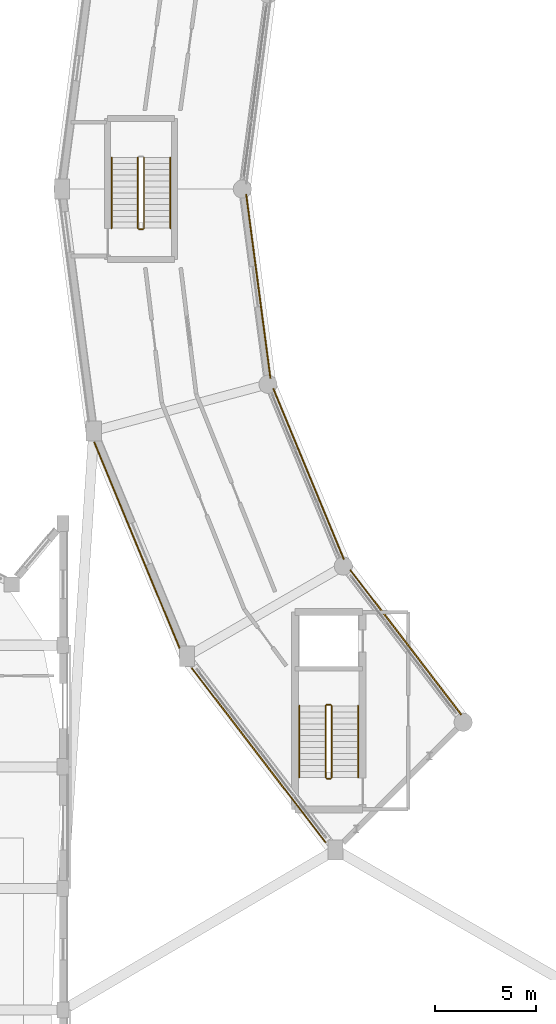
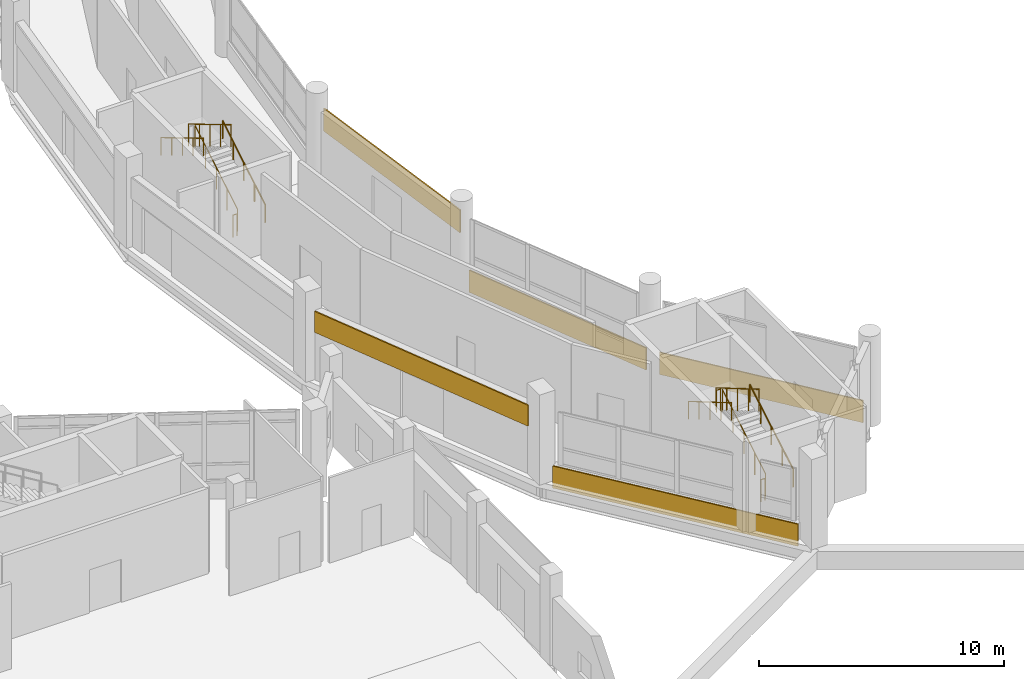
# One storey, part 118 of 129: 11 railings, 5 coverings.
"""IFC4 building model written with IfcOpenShell, lengths in metres."""

import ifcopenshell
import ifcopenshell.guid

model = None  # the IFC model being written
_history = None  # IfcOwnerHistory: only IFC2X3 demands one
_inside = {}  # id of a spatial element -> (the spatial element, [elements in it])
_under = {}  # id of a project, library or spatial element -> (it, [spatial elements below it])
_declared = {}  # id of a project -> (the project, [libraries it declares])
_typed = {}  # id of a type object -> (the type object, [elements of that type])
_made_of = {}  # id of a material, layer set ... -> (it, [elements and type objects made of it])


def new_model(schema):
    """Start an empty IFC model of exactly this schema.

    Asked for "IFC4X3", IfcOpenShell would pick the latest addendum, in which some entities
    have other attributes; the version numbers below select the first issue.
    IFC2X3 requires an IfcOwnerHistory on every rooted entity: one is made here for all.
    """
    global model, _history
    if schema == "IFC4X3":
        model = ifcopenshell.file(schema_version=(4, 3, 0, 0))
    else:
        model = ifcopenshell.file(schema=schema)
    _inside.clear()
    _under.clear()
    _declared.clear()
    _typed.clear()
    _made_of.clear()
    _history = None
    if model.schema == "IFC2X3":
        org = make("IfcOrganization", Name="unknown")
        user = make(
            "IfcPersonAndOrganization",
            ThePerson=make("IfcPerson", FamilyName="unknown"),
            TheOrganization=org,
        )
        app = make(
            "IfcApplication",
            ApplicationDeveloper=org,
            Version="unknown",
            ApplicationFullName="unknown",
            ApplicationIdentifier="unknown",
        )
        _history = make(
            "IfcOwnerHistory",
            OwningUser=user,
            OwningApplication=app,
            ChangeAction="ADDED",
            CreationDate=0,
        )
    return model


def make(cls, **values):
    """One entity of the class cls with the attributes given. An attribute that is None is left unset."""
    return model.create_entity(
        cls, **{name: value for name, value in values.items() if value is not None}
    )


def rooted(cls, **values):
    """An entity with a GlobalId (a new one), such as an element, a storey or a relation."""
    return make(cls, GlobalId=ifcopenshell.guid.new(), OwnerHistory=_history, **values)


def si_unit(unit_type, name, prefix=None):
    """IfcSIUnit, for example si_unit("LENGTHUNIT", "METRE", prefix="MILLI")."""
    return make("IfcSIUnit", UnitType=unit_type, Prefix=prefix, Name=name)


def assignment(units):
    """IfcUnitAssignment: the units of a project."""
    return None if units is None else make("IfcUnitAssignment", Units=units)


def point(xyz):
    """IfcCartesianPoint."""
    return None if xyz is None else make("IfcCartesianPoint", Coordinates=xyz)


def direction(xyz):
    """IfcDirection."""
    return None if xyz is None else make("IfcDirection", DirectionRatios=xyz)


def frame(location, z_axis=None, x_axis=None):
    """IfcAxis2Placement3D, a coordinate frame: its origin and axes. An axis left out is left unset."""
    return make(
        "IfcAxis2Placement3D",
        Location=point(location),
        Axis=direction(z_axis),
        RefDirection=direction(x_axis),
    )


def frame_2d(location, x_axis=None):
    """IfcAxis2Placement2D, a coordinate frame in the plane: its origin and x axis."""
    return make(
        "IfcAxis2Placement2D", Location=point(location), RefDirection=direction(x_axis)
    )


def origin():
    """The frame at (0, 0, 0) with its axes left unset."""
    return frame((0.0, 0.0, 0.0))


def origin_2d():
    """The frame at (0, 0) in the plane with its x axis left unset."""
    return frame_2d((0.0, 0.0))


def place(relative_to, where):
    """IfcLocalPlacement: puts the frame where relative to a parent placement (None: the world)."""
    return make(
        "IfcLocalPlacement", PlacementRelTo=relative_to, RelativePlacement=where
    )


def context(
    kind, dimensions, precision=None, world=None, true_north=None, identifier=None
):
    """IfcGeometricRepresentationContext, for example the 3D "Model" context."""
    return make(
        "IfcGeometricRepresentationContext",
        ContextIdentifier=identifier,
        ContextType=kind,
        CoordinateSpaceDimension=dimensions,
        Precision=precision,
        WorldCoordinateSystem=world,
        TrueNorth=true_north,
    )


def subcontext(parent, identifier, kind, view, scale=None):
    """IfcGeometricRepresentationSubContext, for example "Body" below "Model"."""
    return make(
        "IfcGeometricRepresentationSubContext",
        ContextIdentifier=identifier,
        ContextType=kind,
        ParentContext=parent,
        TargetScale=scale,
        TargetView=view,
    )


def project(units=None, contexts=None):
    """IfcProject with its units and contexts."""
    return rooted(
        "IfcProject",
        Name="project",
        RepresentationContexts=contexts,
        UnitsInContext=assignment(units),
    )


def spatial(cls, under=None, at=None, **own):
    """A site, building, storey or space (cls), placed at a placement, below another one or the project."""
    s = rooted(cls, ObjectPlacement=at, **own)
    if under is not None:
        _under.setdefault(under.id(), (under, []))[1].append(s)
    return s


def profile(cls, at=None, kind="AREA", **sizes):
    """A parametric profile (cls). Its sizes go by their IFC names, for example OverallWidth=200.0."""
    return make(cls, ProfileType=kind, Position=at, **sizes)


def rectangle(**sizes):
    """IfcRectangleProfileDef."""
    return profile("IfcRectangleProfileDef", **sizes)


def circle(**sizes):
    """IfcCircleProfileDef."""
    return profile("IfcCircleProfileDef", **sizes)


def extrude(swept, where, along, depth):
    """IfcExtrudedAreaSolid: the profile swept, set in the frame where, extruded along a direction by depth."""
    return make(
        "IfcExtrudedAreaSolid",
        SweptArea=swept,
        Position=where,
        ExtrudedDirection=direction(along),
        Depth=depth,
    )


def shape(context_of_items, identifier, shape_type, items):
    """IfcShapeRepresentation: the items that make up one representation, for example the "Body"."""
    return make(
        "IfcShapeRepresentation",
        ContextOfItems=context_of_items,
        RepresentationIdentifier=identifier,
        RepresentationType=shape_type,
        Items=items,
    )


def material(Name=None, Category=None):
    """IfcMaterial."""
    return make("IfcMaterial", Name=Name, Category=Category)


def layer(
    of_material, thickness, ventilated=None, Name=None, Category=None, Priority=None
):
    """IfcMaterialLayer: one layer of a wall or slab, of a material (None: an air gap)."""
    return make(
        "IfcMaterialLayer",
        Material=of_material,
        LayerThickness=thickness,
        IsVentilated=ventilated,
        Name=Name,
        Category=Category,
        Priority=Priority,
    )


def layer_set(layers, Name=None):
    """IfcMaterialLayerSet."""
    return make("IfcMaterialLayerSet", MaterialLayers=layers, LayerSetName=Name)


def made_of(thing, what):
    """Note that an element or type object is made of a material, layer set ...; save() writes the relation."""
    if what is not None:
        _made_of.setdefault(what.id(), (what, []))[1].append(thing)
    return thing


def type_object(cls, material=None, **own):
    """A type object (cls), such as IfcWallType, which elements share."""
    return made_of(rooted(cls, **own), material)


def element(
    cls,
    number,
    at=None,
    inside=None,
    cuts=None,
    type_object=None,
    material=None,
    context=None,
    identifier="Body",
    shape_type=None,
    held_by="IfcProductDefinitionShape",
    body=None,
    shapes=None,
    **own,
):
    """One element of the class cls, such as IfcWall. Its Tag is "e" and its number.

    at: its placement. inside: the storey or other place that contains it. cuts: it is an
    opening in that element (IfcRelVoidsElement). A single representation is given by context,
    identifier, shape_type and body (its items); several are given by shapes. held_by: the class
    of the entity that holds the representations. save() writes the other relations.
    """
    e = rooted(cls, Tag="e%d" % number, ObjectPlacement=at, **own)
    if body is not None:
        shapes = [shape(context, identifier, shape_type, body)]
    if shapes is not None:
        e.Representation = make(held_by, Representations=shapes)
    if inside is not None:
        _inside.setdefault(inside.id(), (inside, []))[1].append(e)
    if cuts is not None:
        rooted(
            "IfcRelVoidsElement", RelatingBuildingElement=cuts, RelatedOpeningElement=e
        )
    if type_object is not None:
        _typed.setdefault(type_object.id(), (type_object, []))[1].append(e)
    return made_of(e, material)


def aggregate(whole, parts):
    """IfcRelAggregates: a whole, such as a stair, and the parts it consists of."""
    return rooted("IfcRelAggregates", RelatingObject=whole, RelatedObjects=parts)


def save(model, path):
    """Write the relations noted so far, then the file.

    IfcRelAggregates (storeys below a building ...), IfcRelContainedInSpatialStructure (elements
    in a storey), IfcRelDefinesByType, IfcRelAssociatesMaterial and IfcRelDeclares: one each for
    every whole, place, type object, material and project.
    """
    for whole, parts in _under.values():
        aggregate(whole, parts)
    for where, things in _inside.values():
        rooted(
            "IfcRelContainedInSpatialStructure",
            RelatedElements=things,
            RelatingStructure=where,
        )
    for kind, things in _typed.values():
        rooted("IfcRelDefinesByType", RelatedObjects=things, RelatingType=kind)
    for what, things in _made_of.values():
        rooted("IfcRelAssociatesMaterial", RelatedObjects=things, RelatingMaterial=what)
    for by, libraries in _declared.values():
        rooted("IfcRelDeclares", RelatingContext=by, RelatedDefinitions=libraries)
    model.write(path)


model = new_model("IFC4")

# Units and contexts
model_context = context("Model", 3, precision=1e-05, world=origin(), true_north=direction((0.0, 1.0)))
body_context = subcontext(model_context, "Body", "Model", "MODEL_VIEW")
ifc_project = project(units=[si_unit("LENGTHUNIT", "METRE"), si_unit("AREAUNIT", "SQUARE_METRE"), si_unit("VOLUMEUNIT", "CUBIC_METRE"), si_unit("PLANEANGLEUNIT", "RADIAN"), si_unit("MASSUNIT", "GRAM", prefix="KILO")], contexts=[model_context])

# Site, building, storey
site_placement = place(None, origin())
site = spatial("IfcSite", under=ifc_project, at=site_placement, CompositionType="ELEMENT")
building_placement = place(site_placement, origin())
building = spatial("IfcBuilding", under=site, at=building_placement, Name="Vespera Passage Community Centre", CompositionType="ELEMENT")
storey_placement = place(building_placement, origin())
storey = spatial("IfcBuildingStorey", under=building, at=storey_placement, Name="L00", CompositionType="ELEMENT", Elevation=0.0)

# Coverings
ifc_material_1 = material(Name="Precast concrete f'c 40 MPa", Category="concrete")
ifc_layer = layer(ifc_material_1, 0.06005859375)
ifc_layer_set = layer_set([ifc_layer], Name="Precast concrete f'c 40 MPa")
covering_type = type_object("IfcCoveringType", Name="COV-CLAD-60E", PredefinedType="CLADDING", material=ifc_layer_set)
covering_1_placement = place(storey_placement, frame((40.989990234375, 65.2451171875, 2.419921875), z_axis=(0.0, 0.0, 1.0), x_axis=(0.13052003772, -0.99144567161, 0.0)))
element("IfcCovering", 1, at=covering_1_placement, inside=storey, type_object=covering_type, Name="V4 L00 Court Portal White Band I12", PredefinedType="CLADDING", context=body_context, shape_type="SweptSolid", body=[
    extrude(rectangle(XDim=9.15625, YDim=0.06005859375, at=frame_2d((4.578125, 0.0))), origin(), (0.0, 0.0, 1.0), 1.12939453125),
])
covering_2_placement = place(storey_placement, frame((37.703125, 42.854248046875, 2.419921875), z_axis=(0.0, 0.0, 1.0), x_axis=(-0.382676472432, 0.923882415379, 0.0)))
element("IfcCovering", 2, at=covering_2_placement, inside=storey, type_object=covering_type, Name="V4 L00 Portal White Fascia O13", PredefinedType="CLADDING", context=body_context, shape_type="SweptSolid", body=[
    extrude(rectangle(XDim=11.001953125, YDim=0.06005859375, at=frame_2d((5.5009765625, 0.0))), origin(), (0.0, 0.0, 1.0), 1.045654296875),
])
covering_3_placement = place(storey_placement, frame((42.325439453125, 55.654296875, -0.280029296875), z_axis=(0.0, 0.0, 1.0), x_axis=(0.38269491658, -0.92387477551, 0.0)))
element("IfcCovering", 3, at=covering_3_placement, inside=storey, type_object=covering_type, Name="V4 L00 Inner Court White Spandrel Band I13", PredefinedType="CLADDING", context=body_context, shape_type="SweptSolid", body=[
    extrude(rectangle(XDim=9.11181640625, YDim=0.06005859375, at=frame_2d((4.555908203125, 0.0))), origin(), (0.0, 0.0, 1.0), 1.10009765625),
])
covering_4_placement = place(storey_placement, frame((44.90771484375, 33.267822265625, -0.280029296875), z_axis=(0.0, 0.0, 1.0), x_axis=(-0.608767750285, 0.793348489765, 0.0)))
element("IfcCovering", 4, at=covering_4_placement, inside=storey, type_object=covering_type, Name="V4 L00 Outer White Spandrel Band O14", PredefinedType="CLADDING", context=body_context, shape_type="SweptSolid", body=[
    extrude(rectangle(XDim=10.8525390625, YDim=0.06005859375, at=frame_2d((5.42626953125, 0.0))), origin(), (0.0, 0.0, 1.0), 1.10009765625),
])
covering_5_placement = place(storey_placement, frame((46.121826171875, 46.714111328125, -0.280029296875), z_axis=(0.0, 0.0, 1.0), x_axis=(0.608765610033, -0.793350132061, 0.0)))
element("IfcCovering", 5, at=covering_5_placement, inside=storey, type_object=covering_type, Name="V4 L00 Inner Court White Spandrel Band I14", PredefinedType="CLADDING", context=body_context, shape_type="SweptSolid", body=[
    extrude(rectangle(XDim=9.004638671875, YDim=0.06005859375, at=frame_2d((4.50244140625, 0.0))), origin(), (0.0, 0.0, 1.0), 1.10009765625),
])

# Railings
ifc_material_2 = material(Name="Steel ASTM A500 Grade C", Category="steel")
railing_type_1 = type_object("IfcRailingType", Name="RL-HAND-900I", PredefinedType="HANDRAIL", material=ifc_material_2)
railing_1_placement = place(storey_placement, frame((37.25, 63.574951171875, 0.173095703125)))
element("IfcRailing", 6, at=railing_1_placement, inside=storey, type_object=railing_type_1, Name="L00 ST04 stair handrail 1", PredefinedType="HANDRAIL", context=body_context, shape_type="SweptSolid", body=[
    extrude(circle(Radius=0.02392578125, at=origin_2d()), frame((0.0, 0.0, 0.8759765625), z_axis=(0.0, 0.858697190188, 0.512483302717), x_axis=(-1.0, 0.0, 0.0)), (0.0, 0.0, 1.0), 4.052734375),
    extrude(circle(Radius=0.02099609375, at=origin_2d()), origin(), (0.0, 0.0, 1.0), 0.851806640625),
    extrude(circle(Radius=0.02099609375, at=origin_2d()), frame((0.0, 0.8701171875, 0.519287109375)), (0.0, 0.0, 1.0), 0.851806640625),
    extrude(circle(Radius=0.02099609375, at=origin_2d()), frame((0.0, 1.739990234375, 1.03857421875)), (0.0, 0.0, 1.0), 0.851806640625),
    extrude(circle(Radius=0.02099609375, at=origin_2d()), frame((0.0, 2.60986328125, 1.5576171875)), (0.0, 0.0, 1.0), 0.851806640625),
    extrude(circle(Radius=0.02099609375, at=origin_2d()), frame((0.0, 3.47998046875, 2.076904296875)), (0.0, 0.0, 1.0), 0.851806640625),
])
railing_2_placement = place(storey_placement, frame((34.35009765625, 67.054931640625, 2.423095703125)))
element("IfcRailing", 7, at=railing_2_placement, inside=storey, type_object=railing_type_1, Name="L00 ST04 stair handrail 2", PredefinedType="HANDRAIL", context=body_context, shape_type="SweptSolid", body=[
    extrude(circle(Radius=0.02392578125, at=origin_2d()), frame((0.0, 0.0, 0.8759765625), z_axis=(0.0, -0.858697190188, 0.512483302717), x_axis=(1.0, 0.0, 0.0)), (0.0, 0.0, 1.0), 4.052734375),
    extrude(circle(Radius=0.02099609375, at=origin_2d()), origin(), (0.0, 0.0, 1.0), 0.851806640625),
    extrude(circle(Radius=0.02099609375, at=origin_2d()), frame((0.0, -0.8701171875, 0.519287109375)), (0.0, 0.0, 1.0), 0.851806640625),
    extrude(circle(Radius=0.02099609375, at=origin_2d()), frame((0.0, -1.739990234375, 1.03857421875)), (0.0, 0.0, 1.0), 0.851806640625),
    extrude(circle(Radius=0.02099609375, at=origin_2d()), frame((0.0, -2.60986328125, 1.5576171875)), (0.0, 0.0, 1.0), 0.851806640625),
    extrude(circle(Radius=0.02099609375, at=origin_2d()), frame((0.0, -3.47998046875, 2.076904296875)), (0.0, 0.0, 1.0), 0.851806640625),
])
railing_3_placement = place(storey_placement, frame((46.510986328125, 36.469970703125, 0.173095703125)))
element("IfcRailing", 8, at=railing_3_placement, inside=storey, type_object=railing_type_1, Name="L00 ST05 stair handrail 1", PredefinedType="HANDRAIL", context=body_context, shape_type="SweptSolid", body=[
    extrude(circle(Radius=0.02392578125, at=origin_2d()), frame((0.0, 0.0, 0.8759765625), z_axis=(0.0, 0.862516251723, 0.506029362304), x_axis=(-1.0, 0.0, 0.0)), (0.0, 0.0, 1.0), 4.104248046875),
    extrude(circle(Radius=0.02099609375, at=origin_2d()), origin(), (0.0, 0.0, 1.0), 0.851806640625),
    extrude(circle(Radius=0.02099609375, at=origin_2d()), frame((0.0, 0.885009765625, 0.519287109375)), (0.0, 0.0, 1.0), 0.851806640625),
    extrude(circle(Radius=0.02099609375, at=origin_2d()), frame((0.0, 1.77001953125, 1.03857421875)), (0.0, 0.0, 1.0), 0.851806640625),
    extrude(circle(Radius=0.02099609375, at=origin_2d()), frame((0.0, 2.655029296875, 1.5576171875)), (0.0, 0.0, 1.0), 0.851806640625),
    extrude(circle(Radius=0.02099609375, at=origin_2d()), frame((0.0, 3.5400390625, 2.076904296875)), (0.0, 0.0, 1.0), 0.851806640625),
])
railing_4_placement = place(storey_placement, frame((43.611083984375, 40.010009765625, 2.423095703125)))
element("IfcRailing", 9, at=railing_4_placement, inside=storey, type_object=railing_type_1, Name="L00 ST05 stair handrail 2", PredefinedType="HANDRAIL", context=body_context, shape_type="SweptSolid", body=[
    extrude(circle(Radius=0.02392578125, at=origin_2d()), frame((0.0, 0.0, 0.8759765625), z_axis=(0.0, -0.862516251723, 0.506029362304), x_axis=(1.0, 0.0, 0.0)), (0.0, 0.0, 1.0), 4.104248046875),
    extrude(circle(Radius=0.02099609375, at=origin_2d()), origin(), (0.0, 0.0, 1.0), 0.851806640625),
    extrude(circle(Radius=0.02099609375, at=origin_2d()), frame((0.0, -0.885009765625, 0.519287109375)), (0.0, 0.0, 1.0), 0.851806640625),
    extrude(circle(Radius=0.02099609375, at=origin_2d()), frame((0.0, -1.77001953125, 1.03857421875)), (0.0, 0.0, 1.0), 0.851806640625),
    extrude(circle(Radius=0.02099609375, at=origin_2d()), frame((0.0, -2.655029296875, 1.5576171875)), (0.0, 0.0, 1.0), 0.851806640625),
    extrude(circle(Radius=0.02099609375, at=origin_2d()), frame((0.0, -3.5400390625, 2.076904296875)), (0.0, 0.0, 1.0), 0.851806640625),
])
ifc_material_3 = material(Name="Steel ASTM A500 Grade C", Category="steel")
railing_type_2 = type_object("IfcRailingType", Name="RL-STAIR-1100I", PredefinedType="GUARDRAIL", material=ifc_material_3)
railing_5_placement = place(storey_placement, frame((35.949951171875, 63.574951171875, 0.173095703125)))
element("IfcRailing", 10, at=railing_5_placement, inside=storey, type_object=railing_type_2, Name="L00 ST04 stair guard 1", PredefinedType="GUARDRAIL", context=body_context, shape_type="SweptSolid", body=[
    extrude(circle(Radius=0.02392578125, at=origin_2d()), frame((0.0, 0.0, 1.09619140625), z_axis=(0.0, 0.858697190188, 0.512483302717), x_axis=(-1.0, 0.0, 0.0)), (0.0, 0.0, 1.0), 4.052734375),
    extrude(circle(Radius=0.02099609375, at=origin_2d()), origin(), (0.0, 0.0, 1.0), 1.072021484375),
    extrude(circle(Radius=0.02099609375, at=origin_2d()), frame((0.0, 0.8701171875, 0.519287109375)), (0.0, 0.0, 1.0), 1.072021484375),
    extrude(circle(Radius=0.02099609375, at=origin_2d()), frame((0.0, 1.739990234375, 1.03857421875)), (0.0, 0.0, 1.0), 1.072021484375),
    extrude(circle(Radius=0.02099609375, at=origin_2d()), frame((0.0, 2.60986328125, 1.5576171875)), (0.0, 0.0, 1.0), 1.072021484375),
    extrude(circle(Radius=0.02099609375, at=origin_2d()), frame((0.0, 3.47998046875, 2.076904296875)), (0.0, 0.0, 1.0), 1.072021484375),
])
railing_6_placement = place(storey_placement, frame((35.64990234375, 67.054931640625, 2.423095703125)))
element("IfcRailing", 11, at=railing_6_placement, inside=storey, type_object=railing_type_2, Name="L00 ST04 stair guard 3", PredefinedType="GUARDRAIL", context=body_context, shape_type="SweptSolid", body=[
    extrude(circle(Radius=0.02392578125, at=origin_2d()), frame((0.0, 0.0, 1.09619140625), z_axis=(0.0, -0.858697190188, 0.512483302717), x_axis=(1.0, 0.0, 0.0)), (0.0, 0.0, 1.0), 4.052734375),
    extrude(circle(Radius=0.02099609375, at=origin_2d()), origin(), (0.0, 0.0, 1.0), 1.072021484375),
    extrude(circle(Radius=0.02099609375, at=origin_2d()), frame((0.0, -0.8701171875, 0.519287109375)), (0.0, 0.0, 1.0), 1.072021484375),
    extrude(circle(Radius=0.02099609375, at=origin_2d()), frame((0.0, -1.739990234375, 1.03857421875)), (0.0, 0.0, 1.0), 1.072021484375),
    extrude(circle(Radius=0.02099609375, at=origin_2d()), frame((0.0, -2.60986328125, 1.5576171875)), (0.0, 0.0, 1.0), 1.072021484375),
    extrude(circle(Radius=0.02099609375, at=origin_2d()), frame((0.0, -3.47998046875, 2.076904296875)), (0.0, 0.0, 1.0), 1.072021484375),
])
railing_7_placement = place(storey_placement, frame((35.89990234375, 63.52490234375, 0.0)))
element("IfcRailing", 12, at=railing_7_placement, inside=storey, type_object=railing_type_2, Name="L00 ST04 stair guard 4", PredefinedType="GUARDRAIL", context=body_context, shape_type="SweptSolid", body=[
    extrude(circle(Radius=0.02392578125, at=origin_2d()), frame((0.0, 0.0, 1.09619140625), z_axis=(-1.0, 0.0, 0.0), x_axis=(0.0, -1.0, 0.0)), (0.0, 0.0, 1.0), 0.199951171875),
    extrude(circle(Radius=0.02099609375, at=origin_2d()), origin(), (0.0, 0.0, 1.0), 1.072021484375),
    extrude(circle(Radius=0.02099609375, at=origin_2d()), frame((-0.199951171875, 0.0, 0.0)), (0.0, 0.0, 1.0), 1.072021484375),
])
railing_8_placement = place(storey_placement, frame((45.2109375, 36.469970703125, 0.173095703125)))
element("IfcRailing", 13, at=railing_8_placement, inside=storey, type_object=railing_type_2, Name="L00 ST05 stair guard 1", PredefinedType="GUARDRAIL", context=body_context, shape_type="SweptSolid", body=[
    extrude(circle(Radius=0.02392578125, at=origin_2d()), frame((0.0, 0.0, 1.09619140625), z_axis=(0.0, 0.862516251723, 0.506029362304), x_axis=(-1.0, 0.0, 0.0)), (0.0, 0.0, 1.0), 4.104248046875),
    extrude(circle(Radius=0.02099609375, at=origin_2d()), origin(), (0.0, 0.0, 1.0), 1.072021484375),
    extrude(circle(Radius=0.02099609375, at=origin_2d()), frame((0.0, 0.885009765625, 0.519287109375)), (0.0, 0.0, 1.0), 1.072021484375),
    extrude(circle(Radius=0.02099609375, at=origin_2d()), frame((0.0, 1.77001953125, 1.03857421875)), (0.0, 0.0, 1.0), 1.072021484375),
    extrude(circle(Radius=0.02099609375, at=origin_2d()), frame((0.0, 2.655029296875, 1.5576171875)), (0.0, 0.0, 1.0), 1.072021484375),
    extrude(circle(Radius=0.02099609375, at=origin_2d()), frame((0.0, 3.5400390625, 2.076904296875)), (0.0, 0.0, 1.0), 1.072021484375),
])
railing_9_placement = place(storey_placement, frame((45.160888671875, 40.06005859375, 2.25)))
element("IfcRailing", 14, at=railing_9_placement, inside=storey, type_object=railing_type_2, Name="L00 ST05 stair guard 2", PredefinedType="GUARDRAIL", context=body_context, shape_type="SweptSolid", body=[
    extrude(circle(Radius=0.02392578125, at=origin_2d()), frame((0.0, 0.0, 1.09619140625), z_axis=(-1.0, 0.0, 0.0), x_axis=(0.0, -1.0, 0.0)), (0.0, 0.0, 1.0), 0.199951171875),
    extrude(circle(Radius=0.02099609375, at=origin_2d()), origin(), (0.0, 0.0, 1.0), 1.072021484375),
    extrude(circle(Radius=0.02099609375, at=origin_2d()), frame((-0.199951171875, 0.0, 0.0)), (0.0, 0.0, 1.0), 1.072021484375),
])
railing_10_placement = place(storey_placement, frame((44.910888671875, 40.010009765625, 2.423095703125)))
element("IfcRailing", 15, at=railing_10_placement, inside=storey, type_object=railing_type_2, Name="L00 ST05 stair guard 3", PredefinedType="GUARDRAIL", context=body_context, shape_type="SweptSolid", body=[
    extrude(circle(Radius=0.02392578125, at=origin_2d()), frame((0.0, 0.0, 1.09619140625), z_axis=(0.0, -0.862516251723, 0.506029362304), x_axis=(1.0, 0.0, 0.0)), (0.0, 0.0, 1.0), 4.104248046875),
    extrude(circle(Radius=0.02099609375, at=origin_2d()), origin(), (0.0, 0.0, 1.0), 1.072021484375),
    extrude(circle(Radius=0.02099609375, at=origin_2d()), frame((0.0, -0.885009765625, 0.519287109375)), (0.0, 0.0, 1.0), 1.072021484375),
    extrude(circle(Radius=0.02099609375, at=origin_2d()), frame((0.0, -1.77001953125, 1.03857421875)), (0.0, 0.0, 1.0), 1.072021484375),
    extrude(circle(Radius=0.02099609375, at=origin_2d()), frame((0.0, -2.655029296875, 1.5576171875)), (0.0, 0.0, 1.0), 1.072021484375),
    extrude(circle(Radius=0.02099609375, at=origin_2d()), frame((0.0, -3.5400390625, 2.076904296875)), (0.0, 0.0, 1.0), 1.072021484375),
])
railing_11_placement = place(storey_placement, frame((45.160888671875, 36.419921875, 0.0)))
element("IfcRailing", 16, at=railing_11_placement, inside=storey, type_object=railing_type_2, Name="L00 ST05 stair guard 4", PredefinedType="GUARDRAIL", context=body_context, shape_type="SweptSolid", body=[
    extrude(circle(Radius=0.02392578125, at=origin_2d()), frame((0.0, 0.0, 1.09619140625), z_axis=(-1.0, 0.0, 0.0), x_axis=(0.0, -1.0, 0.0)), (0.0, 0.0, 1.0), 0.199951171875),
    extrude(circle(Radius=0.02099609375, at=origin_2d()), origin(), (0.0, 0.0, 1.0), 1.072021484375),
    extrude(circle(Radius=0.02099609375, at=origin_2d()), frame((-0.199951171875, 0.0, 0.0)), (0.0, 0.0, 1.0), 1.072021484375),
])

save(model, "model.ifc")
